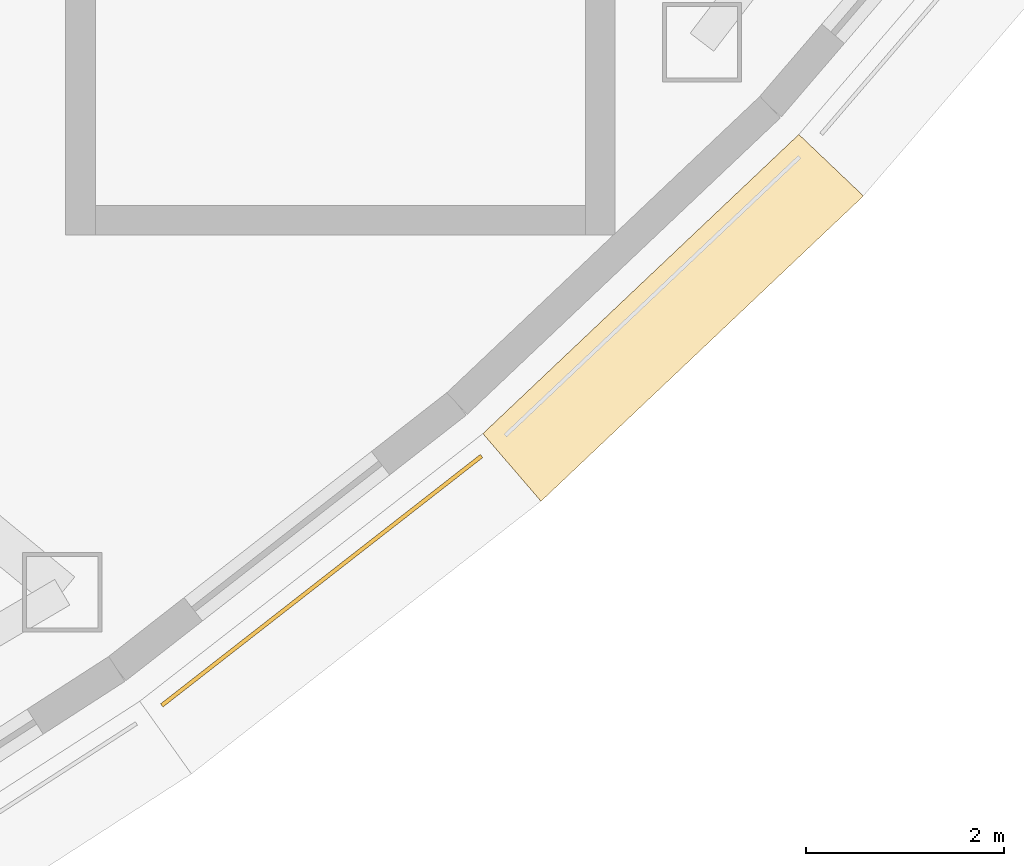
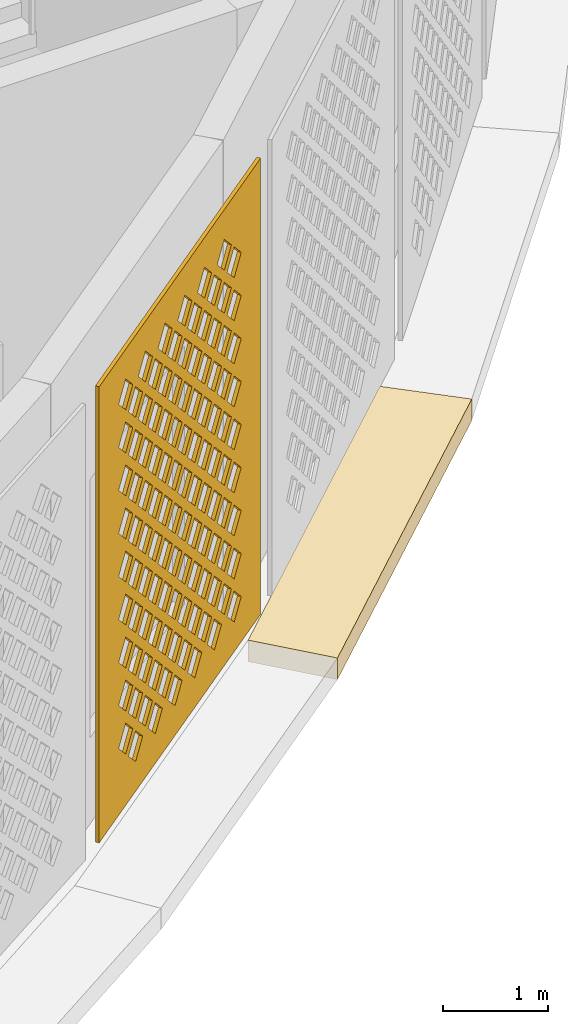
# One storey, part 69 of 74: 2 coverings.
"""IFC4 building model written with IfcOpenShell, lengths in metres."""

from ifc_helpers import new_model, si_unit, direction, frame, origin, place, context, subcontext, project, spatial, polyline, outline, extrude, material, layer, layer_set, type_object, element, save


model = new_model("IFC4")

# Units and contexts
model_context = context("Model", 3, precision=1e-05, world=origin(), true_north=direction((0.0, 1.0)))
body_context = subcontext(model_context, "Body", "Model", "MODEL_VIEW")
ifc_project = project(units=[si_unit("LENGTHUNIT", "METRE"), si_unit("AREAUNIT", "SQUARE_METRE"), si_unit("VOLUMEUNIT", "CUBIC_METRE"), si_unit("PLANEANGLEUNIT", "RADIAN"), si_unit("MASSUNIT", "GRAM", prefix="KILO")], contexts=[model_context])

# Site, building, storey
site_placement = place(None, origin())
site = spatial("IfcSite", under=ifc_project, at=site_placement, CompositionType="ELEMENT")
building_placement = place(site_placement, origin())
building = spatial("IfcBuilding", under=site, at=building_placement, Name="Noorbagh Ring Tower", CompositionType="ELEMENT")
storey_placement = place(building_placement, frame((0.0, 0.0, 13.5)))
storey = spatial("IfcBuildingStorey", under=building, at=storey_placement, Name="L02", CompositionType="ELEMENT", Elevation=13.5)

# Coverings
ifc_material_1 = material(Name="Red sandstone eave", Category="masonry")
covering_type_1 = type_object("IfcCoveringType", Name="STY-CHHAJJA", PredefinedType="USERDEFINED", material=ifc_material_1)
covering_1_placement = place(storey_placement, frame((0.0, 0.0, -0.25)))
element("IfcCovering", 1, at=covering_1_placement, inside=storey, type_object=covering_type_1, Name="Chhajja eave", ObjectType="CHHAJJA", PredefinedType="USERDEFINED", context=body_context, shape_type="SweptSolid", body=[
    extrude(outline(polyline([(38.71435546875, -26.70458984375), (41.906494140625, -23.682373046875), (42.55908203125, -24.3037109375), (39.3017578125, -27.3876953125), (38.71435546875, -26.70458984375)])), origin(), (0.0, 0.0, 1.0), 0.25),
])
ifc_material_2 = material(Name="Red sandstone jali", Category="masonry")
ifc_layer = layer(ifc_material_2, 0.0400390625)
ifc_layer_set = layer_set([ifc_layer], Name="Red sandstone jali")
covering_type_2 = type_object("IfcCoveringType", Name="STY-JALI", PredefinedType="USERDEFINED", material=ifc_layer_set)
covering_2_placement = place(storey_placement, frame((35.48291015625, -29.4658203125, 0.449951171875), z_axis=(0.614979917433, -0.788542770656, 0.0), x_axis=(0.788542770656, 0.614979917433, 0.0)))
element("IfcCovering", 2, at=covering_2_placement, inside=storey, type_object=covering_type_2, Name="Jali screen", ObjectType="SCREEN", PredefinedType="USERDEFINED", context=body_context, shape_type="SweptSolid", body=[
    extrude(outline(polyline([(0.0, 0.0), (4.09619140625, 0.0), (4.09619140625, 5.300048828125), (0.0, 5.300048828125), (0.0, 0.0)]), holes=[polyline([(0.7431640625, 0.52490234375), (0.923095703125, 0.344970703125), (1.10302734375, 0.52490234375), (0.923095703125, 0.705078125), (0.7431640625, 0.52490234375)]), polyline([(1.2431640625, 0.52490234375), (1.423095703125, 0.344970703125), (1.60302734375, 0.52490234375), (1.423095703125, 0.705078125), (1.2431640625, 0.52490234375)]), polyline([(1.7431640625, 0.52490234375), (1.923095703125, 0.344970703125), (2.10302734375, 0.52490234375), (1.923095703125, 0.705078125), (1.7431640625, 0.52490234375)]), polyline([(2.2431640625, 0.52490234375), (2.423095703125, 0.344970703125), (2.60302734375, 0.52490234375), (2.423095703125, 0.705078125), (2.2431640625, 0.52490234375)]), polyline([(2.7431640625, 0.52490234375), (2.923095703125, 0.344970703125), (3.10302734375, 0.52490234375), (2.923095703125, 0.705078125), (2.7431640625, 0.52490234375)]), polyline([(3.2431640625, 0.52490234375), (3.423095703125, 0.344970703125), (3.60302734375, 0.52490234375), (3.423095703125, 0.705078125), (3.2431640625, 0.52490234375)]), polyline([(0.4931640625, 0.77490234375), (0.673095703125, 0.594970703125), (0.85302734375, 0.77490234375), (0.673095703125, 0.955078125), (0.4931640625, 0.77490234375)]), polyline([(0.9931640625, 0.77490234375), (1.173095703125, 0.594970703125), (1.35302734375, 0.77490234375), (1.173095703125, 0.955078125), (0.9931640625, 0.77490234375)]), polyline([(1.4931640625, 0.77490234375), (1.673095703125, 0.594970703125), (1.85302734375, 0.77490234375), (1.673095703125, 0.955078125), (1.4931640625, 0.77490234375)]), polyline([(1.9931640625, 0.77490234375), (2.173095703125, 0.594970703125), (2.35302734375, 0.77490234375), (2.173095703125, 0.955078125), (1.9931640625, 0.77490234375)]), polyline([(2.4931640625, 0.77490234375), (2.673095703125, 0.594970703125), (2.85302734375, 0.77490234375), (2.673095703125, 0.955078125), (2.4931640625, 0.77490234375)]), polyline([(2.9931640625, 0.77490234375), (3.173095703125, 0.594970703125), (3.35302734375, 0.77490234375), (3.173095703125, 0.955078125), (2.9931640625, 0.77490234375)]), polyline([(0.7431640625, 1.02490234375), (0.923095703125, 0.844970703125), (1.10302734375, 1.02490234375), (0.923095703125, 1.205078125), (0.7431640625, 1.02490234375)]), polyline([(1.2431640625, 1.02490234375), (1.423095703125, 0.844970703125), (1.60302734375, 1.02490234375), (1.423095703125, 1.205078125), (1.2431640625, 1.02490234375)]), polyline([(1.7431640625, 1.02490234375), (1.923095703125, 0.844970703125), (2.10302734375, 1.02490234375), (1.923095703125, 1.205078125), (1.7431640625, 1.02490234375)]), polyline([(2.2431640625, 1.02490234375), (2.423095703125, 0.844970703125), (2.60302734375, 1.02490234375), (2.423095703125, 1.205078125), (2.2431640625, 1.02490234375)]), polyline([(2.7431640625, 1.02490234375), (2.923095703125, 0.844970703125), (3.10302734375, 1.02490234375), (2.923095703125, 1.205078125), (2.7431640625, 1.02490234375)]), polyline([(3.2431640625, 1.02490234375), (3.423095703125, 0.844970703125), (3.60302734375, 1.02490234375), (3.423095703125, 1.205078125), (3.2431640625, 1.02490234375)]), polyline([(0.4931640625, 1.27490234375), (0.673095703125, 1.094970703125), (0.85302734375, 1.27490234375), (0.673095703125, 1.455078125), (0.4931640625, 1.27490234375)]), polyline([(0.9931640625, 1.27490234375), (1.173095703125, 1.094970703125), (1.35302734375, 1.27490234375), (1.173095703125, 1.455078125), (0.9931640625, 1.27490234375)]), polyline([(1.4931640625, 1.27490234375), (1.673095703125, 1.094970703125), (1.85302734375, 1.27490234375), (1.673095703125, 1.455078125), (1.4931640625, 1.27490234375)]), polyline([(1.9931640625, 1.27490234375), (2.173095703125, 1.094970703125), (2.35302734375, 1.27490234375), (2.173095703125, 1.455078125), (1.9931640625, 1.27490234375)]), polyline([(2.4931640625, 1.27490234375), (2.673095703125, 1.094970703125), (2.85302734375, 1.27490234375), (2.673095703125, 1.455078125), (2.4931640625, 1.27490234375)]), polyline([(2.9931640625, 1.27490234375), (3.173095703125, 1.094970703125), (3.35302734375, 1.27490234375), (3.173095703125, 1.455078125), (2.9931640625, 1.27490234375)]), polyline([(0.7431640625, 1.52490234375), (0.923095703125, 1.344970703125), (1.10302734375, 1.52490234375), (0.923095703125, 1.705078125), (0.7431640625, 1.52490234375)]), polyline([(1.2431640625, 1.52490234375), (1.423095703125, 1.344970703125), (1.60302734375, 1.52490234375), (1.423095703125, 1.705078125), (1.2431640625, 1.52490234375)]), polyline([(1.7431640625, 1.52490234375), (1.923095703125, 1.344970703125), (2.10302734375, 1.52490234375), (1.923095703125, 1.705078125), (1.7431640625, 1.52490234375)]), polyline([(2.2431640625, 1.52490234375), (2.423095703125, 1.344970703125), (2.60302734375, 1.52490234375), (2.423095703125, 1.705078125), (2.2431640625, 1.52490234375)]), polyline([(2.7431640625, 1.52490234375), (2.923095703125, 1.344970703125), (3.10302734375, 1.52490234375), (2.923095703125, 1.705078125), (2.7431640625, 1.52490234375)]), polyline([(3.2431640625, 1.52490234375), (3.423095703125, 1.344970703125), (3.60302734375, 1.52490234375), (3.423095703125, 1.705078125), (3.2431640625, 1.52490234375)]), polyline([(0.4931640625, 1.77490234375), (0.673095703125, 1.594970703125), (0.85302734375, 1.77490234375), (0.673095703125, 1.955078125), (0.4931640625, 1.77490234375)]), polyline([(0.9931640625, 1.77490234375), (1.173095703125, 1.594970703125), (1.35302734375, 1.77490234375), (1.173095703125, 1.955078125), (0.9931640625, 1.77490234375)]), polyline([(1.4931640625, 1.77490234375), (1.673095703125, 1.594970703125), (1.85302734375, 1.77490234375), (1.673095703125, 1.955078125), (1.4931640625, 1.77490234375)]), polyline([(1.9931640625, 1.77490234375), (2.173095703125, 1.594970703125), (2.35302734375, 1.77490234375), (2.173095703125, 1.955078125), (1.9931640625, 1.77490234375)]), polyline([(2.4931640625, 1.77490234375), (2.673095703125, 1.594970703125), (2.85302734375, 1.77490234375), (2.673095703125, 1.955078125), (2.4931640625, 1.77490234375)]), polyline([(2.9931640625, 1.77490234375), (3.173095703125, 1.594970703125), (3.35302734375, 1.77490234375), (3.173095703125, 1.955078125), (2.9931640625, 1.77490234375)]), polyline([(0.7431640625, 2.02490234375), (0.923095703125, 1.844970703125), (1.10302734375, 2.02490234375), (0.923095703125, 2.205078125), (0.7431640625, 2.02490234375)]), polyline([(1.2431640625, 2.02490234375), (1.423095703125, 1.844970703125), (1.60302734375, 2.02490234375), (1.423095703125, 2.205078125), (1.2431640625, 2.02490234375)]), polyline([(1.7431640625, 2.02490234375), (1.923095703125, 1.844970703125), (2.10302734375, 2.02490234375), (1.923095703125, 2.205078125), (1.7431640625, 2.02490234375)]), polyline([(2.2431640625, 2.02490234375), (2.423095703125, 1.844970703125), (2.60302734375, 2.02490234375), (2.423095703125, 2.205078125), (2.2431640625, 2.02490234375)]), polyline([(2.7431640625, 2.02490234375), (2.923095703125, 1.844970703125), (3.10302734375, 2.02490234375), (2.923095703125, 2.205078125), (2.7431640625, 2.02490234375)]), polyline([(3.2431640625, 2.02490234375), (3.423095703125, 1.844970703125), (3.60302734375, 2.02490234375), (3.423095703125, 2.205078125), (3.2431640625, 2.02490234375)]), polyline([(0.4931640625, 2.27490234375), (0.673095703125, 2.094970703125), (0.85302734375, 2.27490234375), (0.673095703125, 2.455078125), (0.4931640625, 2.27490234375)]), polyline([(0.9931640625, 2.27490234375), (1.173095703125, 2.094970703125), (1.35302734375, 2.27490234375), (1.173095703125, 2.455078125), (0.9931640625, 2.27490234375)]), polyline([(1.4931640625, 2.27490234375), (1.673095703125, 2.094970703125), (1.85302734375, 2.27490234375), (1.673095703125, 2.455078125), (1.4931640625, 2.27490234375)]), polyline([(1.9931640625, 2.27490234375), (2.173095703125, 2.094970703125), (2.35302734375, 2.27490234375), (2.173095703125, 2.455078125), (1.9931640625, 2.27490234375)]), polyline([(2.4931640625, 2.27490234375), (2.673095703125, 2.094970703125), (2.85302734375, 2.27490234375), (2.673095703125, 2.455078125), (2.4931640625, 2.27490234375)]), polyline([(2.9931640625, 2.27490234375), (3.173095703125, 2.094970703125), (3.35302734375, 2.27490234375), (3.173095703125, 2.455078125), (2.9931640625, 2.27490234375)]), polyline([(0.7431640625, 2.52490234375), (0.923095703125, 2.344970703125), (1.10302734375, 2.52490234375), (0.923095703125, 2.705078125), (0.7431640625, 2.52490234375)]), polyline([(1.2431640625, 2.52490234375), (1.423095703125, 2.344970703125), (1.60302734375, 2.52490234375), (1.423095703125, 2.705078125), (1.2431640625, 2.52490234375)]), polyline([(1.7431640625, 2.52490234375), (1.923095703125, 2.344970703125), (2.10302734375, 2.52490234375), (1.923095703125, 2.705078125), (1.7431640625, 2.52490234375)]), polyline([(2.2431640625, 2.52490234375), (2.423095703125, 2.344970703125), (2.60302734375, 2.52490234375), (2.423095703125, 2.705078125), (2.2431640625, 2.52490234375)]), polyline([(2.7431640625, 2.52490234375), (2.923095703125, 2.344970703125), (3.10302734375, 2.52490234375), (2.923095703125, 2.705078125), (2.7431640625, 2.52490234375)]), polyline([(3.2431640625, 2.52490234375), (3.423095703125, 2.344970703125), (3.60302734375, 2.52490234375), (3.423095703125, 2.705078125), (3.2431640625, 2.52490234375)]), polyline([(0.4931640625, 2.77490234375), (0.673095703125, 2.594970703125), (0.85302734375, 2.77490234375), (0.673095703125, 2.955078125), (0.4931640625, 2.77490234375)]), polyline([(0.9931640625, 2.77490234375), (1.173095703125, 2.594970703125), (1.35302734375, 2.77490234375), (1.173095703125, 2.955078125), (0.9931640625, 2.77490234375)]), polyline([(1.4931640625, 2.77490234375), (1.673095703125, 2.594970703125), (1.85302734375, 2.77490234375), (1.673095703125, 2.955078125), (1.4931640625, 2.77490234375)]), polyline([(1.9931640625, 2.77490234375), (2.173095703125, 2.594970703125), (2.35302734375, 2.77490234375), (2.173095703125, 2.955078125), (1.9931640625, 2.77490234375)]), polyline([(2.4931640625, 2.77490234375), (2.673095703125, 2.594970703125), (2.85302734375, 2.77490234375), (2.673095703125, 2.955078125), (2.4931640625, 2.77490234375)]), polyline([(2.9931640625, 2.77490234375), (3.173095703125, 2.594970703125), (3.35302734375, 2.77490234375), (3.173095703125, 2.955078125), (2.9931640625, 2.77490234375)]), polyline([(0.7431640625, 3.02490234375), (0.923095703125, 2.844970703125), (1.10302734375, 3.02490234375), (0.923095703125, 3.205078125), (0.7431640625, 3.02490234375)]), polyline([(1.2431640625, 3.02490234375), (1.423095703125, 2.844970703125), (1.60302734375, 3.02490234375), (1.423095703125, 3.205078125), (1.2431640625, 3.02490234375)]), polyline([(1.7431640625, 3.02490234375), (1.923095703125, 2.844970703125), (2.10302734375, 3.02490234375), (1.923095703125, 3.205078125), (1.7431640625, 3.02490234375)]), polyline([(2.2431640625, 3.02490234375), (2.423095703125, 2.844970703125), (2.60302734375, 3.02490234375), (2.423095703125, 3.205078125), (2.2431640625, 3.02490234375)]), polyline([(2.7431640625, 3.02490234375), (2.923095703125, 2.844970703125), (3.10302734375, 3.02490234375), (2.923095703125, 3.205078125), (2.7431640625, 3.02490234375)]), polyline([(3.2431640625, 3.02490234375), (3.423095703125, 2.844970703125), (3.60302734375, 3.02490234375), (3.423095703125, 3.205078125), (3.2431640625, 3.02490234375)]), polyline([(0.4931640625, 3.27490234375), (0.673095703125, 3.094970703125), (0.85302734375, 3.27490234375), (0.673095703125, 3.455078125), (0.4931640625, 3.27490234375)]), polyline([(0.9931640625, 3.27490234375), (1.173095703125, 3.094970703125), (1.35302734375, 3.27490234375), (1.173095703125, 3.455078125), (0.9931640625, 3.27490234375)]), polyline([(1.4931640625, 3.27490234375), (1.673095703125, 3.094970703125), (1.85302734375, 3.27490234375), (1.673095703125, 3.455078125), (1.4931640625, 3.27490234375)]), polyline([(1.9931640625, 3.27490234375), (2.173095703125, 3.094970703125), (2.35302734375, 3.27490234375), (2.173095703125, 3.455078125), (1.9931640625, 3.27490234375)]), polyline([(2.4931640625, 3.27490234375), (2.673095703125, 3.094970703125), (2.85302734375, 3.27490234375), (2.673095703125, 3.455078125), (2.4931640625, 3.27490234375)]), polyline([(2.9931640625, 3.27490234375), (3.173095703125, 3.094970703125), (3.35302734375, 3.27490234375), (3.173095703125, 3.455078125), (2.9931640625, 3.27490234375)]), polyline([(0.7431640625, 3.52490234375), (0.923095703125, 3.344970703125), (1.10302734375, 3.52490234375), (0.923095703125, 3.705078125), (0.7431640625, 3.52490234375)]), polyline([(1.2431640625, 3.52490234375), (1.423095703125, 3.344970703125), (1.60302734375, 3.52490234375), (1.423095703125, 3.705078125), (1.2431640625, 3.52490234375)]), polyline([(1.7431640625, 3.52490234375), (1.923095703125, 3.344970703125), (2.10302734375, 3.52490234375), (1.923095703125, 3.705078125), (1.7431640625, 3.52490234375)]), polyline([(2.2431640625, 3.52490234375), (2.423095703125, 3.344970703125), (2.60302734375, 3.52490234375), (2.423095703125, 3.705078125), (2.2431640625, 3.52490234375)]), polyline([(2.7431640625, 3.52490234375), (2.923095703125, 3.344970703125), (3.10302734375, 3.52490234375), (2.923095703125, 3.705078125), (2.7431640625, 3.52490234375)]), polyline([(3.2431640625, 3.52490234375), (3.423095703125, 3.344970703125), (3.60302734375, 3.52490234375), (3.423095703125, 3.705078125), (3.2431640625, 3.52490234375)]), polyline([(0.4931640625, 3.77490234375), (0.673095703125, 3.594970703125), (0.85302734375, 3.77490234375), (0.673095703125, 3.955078125), (0.4931640625, 3.77490234375)]), polyline([(0.9931640625, 3.77490234375), (1.173095703125, 3.594970703125), (1.35302734375, 3.77490234375), (1.173095703125, 3.955078125), (0.9931640625, 3.77490234375)]), polyline([(1.4931640625, 3.77490234375), (1.673095703125, 3.594970703125), (1.85302734375, 3.77490234375), (1.673095703125, 3.955078125), (1.4931640625, 3.77490234375)]), polyline([(1.9931640625, 3.77490234375), (2.173095703125, 3.594970703125), (2.35302734375, 3.77490234375), (2.173095703125, 3.955078125), (1.9931640625, 3.77490234375)]), polyline([(2.4931640625, 3.77490234375), (2.673095703125, 3.594970703125), (2.85302734375, 3.77490234375), (2.673095703125, 3.955078125), (2.4931640625, 3.77490234375)]), polyline([(2.9931640625, 3.77490234375), (3.173095703125, 3.594970703125), (3.35302734375, 3.77490234375), (3.173095703125, 3.955078125), (2.9931640625, 3.77490234375)]), polyline([(0.7431640625, 4.02490234375), (0.923095703125, 3.844970703125), (1.10302734375, 4.02490234375), (0.923095703125, 4.205078125), (0.7431640625, 4.02490234375)]), polyline([(1.2431640625, 4.02490234375), (1.423095703125, 3.844970703125), (1.60302734375, 4.02490234375), (1.423095703125, 4.205078125), (1.2431640625, 4.02490234375)]), polyline([(1.7431640625, 4.02490234375), (1.923095703125, 3.844970703125), (2.10302734375, 4.02490234375), (1.923095703125, 4.205078125), (1.7431640625, 4.02490234375)]), polyline([(2.2431640625, 4.02490234375), (2.423095703125, 3.844970703125), (2.60302734375, 4.02490234375), (2.423095703125, 4.205078125), (2.2431640625, 4.02490234375)]), polyline([(2.7431640625, 4.02490234375), (2.923095703125, 3.844970703125), (3.10302734375, 4.02490234375), (2.923095703125, 4.205078125), (2.7431640625, 4.02490234375)]), polyline([(3.2431640625, 4.02490234375), (3.423095703125, 3.844970703125), (3.60302734375, 4.02490234375), (3.423095703125, 4.205078125), (3.2431640625, 4.02490234375)]), polyline([(0.4931640625, 4.27490234375), (0.673095703125, 4.094970703125), (0.85302734375, 4.27490234375), (0.673095703125, 4.455078125), (0.4931640625, 4.27490234375)]), polyline([(0.9931640625, 4.27490234375), (1.173095703125, 4.094970703125), (1.35302734375, 4.27490234375), (1.173095703125, 4.455078125), (0.9931640625, 4.27490234375)]), polyline([(1.4931640625, 4.27490234375), (1.673095703125, 4.094970703125), (1.85302734375, 4.27490234375), (1.673095703125, 4.455078125), (1.4931640625, 4.27490234375)]), polyline([(1.9931640625, 4.27490234375), (2.173095703125, 4.094970703125), (2.35302734375, 4.27490234375), (2.173095703125, 4.455078125), (1.9931640625, 4.27490234375)]), polyline([(2.4931640625, 4.27490234375), (2.673095703125, 4.094970703125), (2.85302734375, 4.27490234375), (2.673095703125, 4.455078125), (2.4931640625, 4.27490234375)]), polyline([(2.9931640625, 4.27490234375), (3.173095703125, 4.094970703125), (3.35302734375, 4.27490234375), (3.173095703125, 4.455078125), (2.9931640625, 4.27490234375)]), polyline([(0.7431640625, 4.52490234375), (0.923095703125, 4.344970703125), (1.10302734375, 4.52490234375), (0.923095703125, 4.705078125), (0.7431640625, 4.52490234375)]), polyline([(1.2431640625, 4.52490234375), (1.423095703125, 4.344970703125), (1.60302734375, 4.52490234375), (1.423095703125, 4.705078125), (1.2431640625, 4.52490234375)]), polyline([(1.7431640625, 4.52490234375), (1.923095703125, 4.344970703125), (2.10302734375, 4.52490234375), (1.923095703125, 4.705078125), (1.7431640625, 4.52490234375)]), polyline([(2.2431640625, 4.52490234375), (2.423095703125, 4.344970703125), (2.60302734375, 4.52490234375), (2.423095703125, 4.705078125), (2.2431640625, 4.52490234375)]), polyline([(2.7431640625, 4.52490234375), (2.923095703125, 4.344970703125), (3.10302734375, 4.52490234375), (2.923095703125, 4.705078125), (2.7431640625, 4.52490234375)]), polyline([(3.2431640625, 4.52490234375), (3.423095703125, 4.344970703125), (3.60302734375, 4.52490234375), (3.423095703125, 4.705078125), (3.2431640625, 4.52490234375)]), polyline([(0.4931640625, 4.77490234375), (0.673095703125, 4.594970703125), (0.85302734375, 4.77490234375), (0.673095703125, 4.955078125), (0.4931640625, 4.77490234375)]), polyline([(0.9931640625, 4.77490234375), (1.173095703125, 4.594970703125), (1.35302734375, 4.77490234375), (1.173095703125, 4.955078125), (0.9931640625, 4.77490234375)]), polyline([(1.4931640625, 4.77490234375), (1.673095703125, 4.594970703125), (1.85302734375, 4.77490234375), (1.673095703125, 4.955078125), (1.4931640625, 4.77490234375)]), polyline([(1.9931640625, 4.77490234375), (2.173095703125, 4.594970703125), (2.35302734375, 4.77490234375), (2.173095703125, 4.955078125), (1.9931640625, 4.77490234375)]), polyline([(2.4931640625, 4.77490234375), (2.673095703125, 4.594970703125), (2.85302734375, 4.77490234375), (2.673095703125, 4.955078125), (2.4931640625, 4.77490234375)]), polyline([(2.9931640625, 4.77490234375), (3.173095703125, 4.594970703125), (3.35302734375, 4.77490234375), (3.173095703125, 4.955078125), (2.9931640625, 4.77490234375)])]), origin(), (0.0, 0.0, -1.0), 0.0400390625),
])

save(model, "model.ifc")
